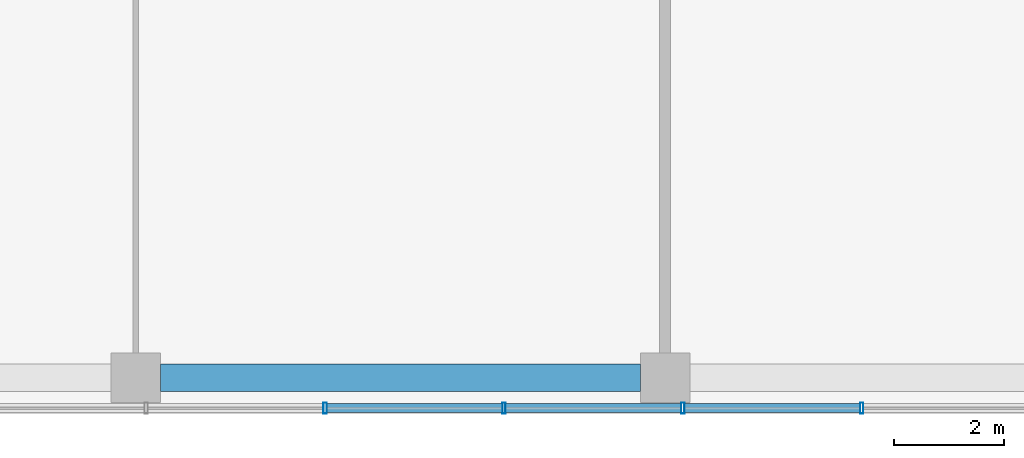
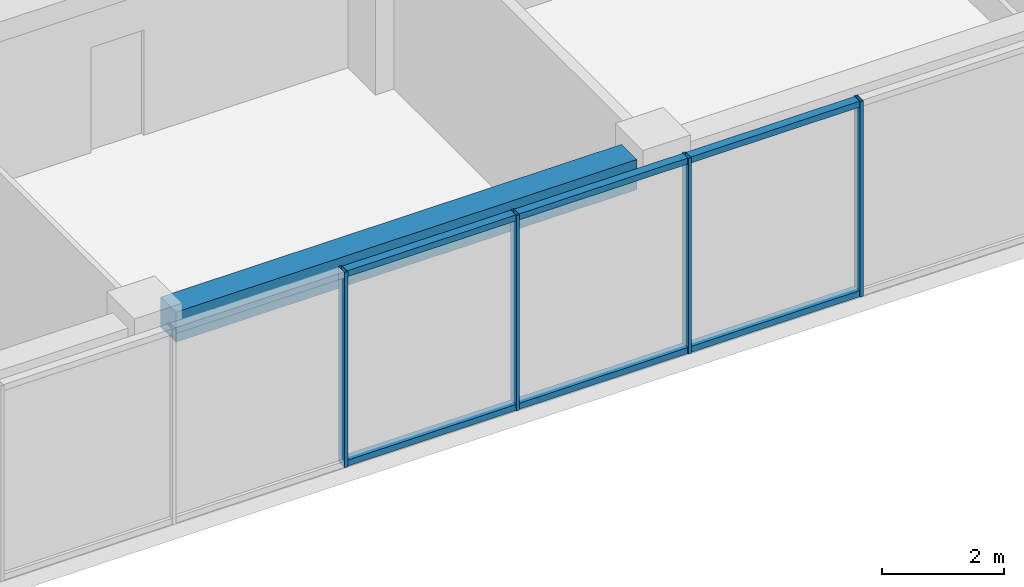
# One storey, part 11 of 36: 10 members, 1 beam, 1 element without a shape of its own.
"""IFC4 building model written with IfcOpenShell, lengths in metres."""

from ifc_helpers import new_model, si_unit, direction, frame, origin, origin_2d, place, context, subcontext, project, spatial, rectangle, hollow_rectangle, extrude, material, layer, layer_set, material_profile, profile_set, type_object, element, aggregate, save


model = new_model("IFC4")

# Units and contexts
model_context = context("Model", 3, precision=1e-05, world=origin(), true_north=direction((0.0, 1.0)))
body_context = subcontext(model_context, "Body", "Model", "MODEL_VIEW")
ifc_project = project(units=[si_unit("LENGTHUNIT", "METRE"), si_unit("AREAUNIT", "SQUARE_METRE"), si_unit("VOLUMEUNIT", "CUBIC_METRE"), si_unit("PLANEANGLEUNIT", "RADIAN"), si_unit("MASSUNIT", "GRAM", prefix="KILO")], contexts=[model_context])

# Site, building, storey
site_placement = place(None, origin())
site = spatial("IfcSite", under=ifc_project, at=site_placement, CompositionType="ELEMENT")
building_placement = place(site_placement, origin())
building = spatial("IfcBuilding", under=site, at=building_placement, Name="Nzadi Deep Aquarium and Research Tower", CompositionType="ELEMENT")
storey_placement = place(building_placement, frame((0.0, 0.0, 44.5)))
storey = spatial("IfcBuildingStorey", under=building, at=storey_placement, Name="L08", CompositionType="ELEMENT", Elevation=44.5)

# Curtain wall, members
ifc_material_1 = material(Name="Aluminium unitised frame", Category="aluminium")
ifc_layer = layer(ifc_material_1, 0.199951171875)
ifc_layer_set = layer_set([ifc_layer], Name="Aluminium unitised frame")
curtain_wall_type = type_object("IfcCurtainWallType", Name="Curtain wall Unitised 200", PredefinedType="NOTDEFINED", material=ifc_layer_set)
curtain_wall_placement = place(storey_placement, origin())
curtain_wall = element("IfcCurtainWall", 1, at=curtain_wall_placement, inside=storey, type_object=curtain_wall_type, Name="Unitised curtain wall blade A south L08", PredefinedType="NOTDEFINED")
ifc_material_2 = material(Name="Aluminium unitised frame", Category="aluminium")
ifc_material_profile_1 = material_profile(ifc_material_2, hollow_rectangle(XDim=0.199951171875, YDim=0.06005859375, WallThickness=0.0048828125, at=origin_2d()))
ifc_profile_set_1 = profile_set([ifc_material_profile_1], Name="Aluminium unitised frame")
member_type_1 = type_object("IfcMemberType", Name="Mullion 60x200 Unitised", PredefinedType="MULLION", material=ifc_profile_set_1)
member_1_placement = place(storey_placement, frame((32.2333984375, -0.10009765625, 0.0), z_axis=(0.0, 0.0, 1.0), x_axis=(0.0, 1.0, 0.0)))
member_1 = element("IfcMember", 2, at=member_1_placement, type_object=member_type_1, Name="CW022 mullion 11", PredefinedType="MULLION", context=body_context, shape_type="SweptSolid", body=[
    extrude(hollow_rectangle(XDim=0.199951171875, YDim=0.06005859375, WallThickness=0.0048828125, at=origin_2d()), origin(), (0.0, 0.0, 1.0), 3.89990234375),
])
member_2_placement = place(storey_placement, frame((35.4765625, -0.10009765625, 0.0), z_axis=(0.0, 0.0, 1.0), x_axis=(0.0, 1.0, 0.0)))
member_2 = element("IfcMember", 3, at=member_2_placement, type_object=member_type_1, Name="CW022 mullion 12", PredefinedType="MULLION", context=body_context, shape_type="SweptSolid", body=[
    extrude(hollow_rectangle(XDim=0.199951171875, YDim=0.06005859375, WallThickness=0.0048828125, at=origin_2d()), origin(), (0.0, 0.0, 1.0), 3.89990234375),
])
member_3_placement = place(storey_placement, frame((38.719970703125, -0.10009765625, 0.0), z_axis=(0.0, 0.0, 1.0), x_axis=(0.0, 1.0, 0.0)))
member_3 = element("IfcMember", 4, at=member_3_placement, type_object=member_type_1, Name="CW022 mullion 13", PredefinedType="MULLION", context=body_context, shape_type="SweptSolid", body=[
    extrude(hollow_rectangle(XDim=0.199951171875, YDim=0.06005859375, WallThickness=0.0048828125, at=origin_2d()), origin(), (0.0, 0.0, 1.0), 3.89990234375),
])
member_4_placement = place(storey_placement, frame((41.96337890625, -0.10009765625, 0.0), z_axis=(0.0, 0.0, 1.0), x_axis=(0.0, 1.0, 0.0)))
member_4 = element("IfcMember", 5, at=member_4_placement, type_object=member_type_1, Name="CW022 mullion 14", PredefinedType="MULLION", context=body_context, shape_type="SweptSolid", body=[
    extrude(hollow_rectangle(XDim=0.199951171875, YDim=0.06005859375, WallThickness=0.0048828125, at=origin_2d()), origin(), (0.0, 0.0, 1.0), 3.89990234375),
])

# Beam
ifc_material_3 = material(Name="Concrete C35/45", Category="concrete")
ifc_material_profile_2 = material_profile(ifc_material_3, rectangle(XDim=0.5, YDim=0.60009765625, at=origin_2d()))
ifc_profile_set_2 = profile_set([ifc_material_profile_2], Name="Concrete C35/45")
beam_type = type_object("IfcBeamType", Name="RC 500x600", PredefinedType="BEAM", material=ifc_profile_set_2)
beam_placement = place(storey_placement, frame((29.25, 0.449951171875, 3.60009765625), z_axis=(1.0, 0.0, 0.0), x_axis=(0.0, 1.0, 0.0)))
element("IfcBeam", 6, at=beam_placement, inside=storey, type_object=beam_type, Name="B-Z1-L08-L1-4", PredefinedType="BEAM", context=body_context, shape_type="SweptSolid", body=[
    extrude(rectangle(XDim=0.5, YDim=0.60009765625, at=origin_2d()), origin(), (0.0, 0.0, 1.0), 8.699951171875),
])

# Member
ifc_material_4 = material(Name="Aluminium unitised frame", Category="aluminium")
ifc_material_profile_3 = material_profile(ifc_material_4, hollow_rectangle(XDim=0.159912109375, YDim=0.1201171875, WallThickness=0.0048828125, at=origin_2d()))
ifc_profile_set_3 = profile_set([ifc_material_profile_3], Name="Aluminium unitised frame")
member_type_2 = type_object("IfcMemberType", Name="Transom 120x160 Unitised", PredefinedType="MULLION", material=ifc_profile_set_3)
member_5_placement = place(storey_placement, frame((32.263427734375, -0.10009765625, 0.06005859375), z_axis=(1.0, 0.0, 0.0), x_axis=(0.0, 1.0, 0.0)))
member_5 = element("IfcMember", 7, at=member_5_placement, type_object=member_type_2, Name="CW022 transom 11.1", PredefinedType="MULLION", context=body_context, shape_type="SweptSolid", body=[
    extrude(hollow_rectangle(XDim=0.159912109375, YDim=0.1201171875, WallThickness=0.0048828125, at=origin_2d()), origin(), (0.0, 0.0, 1.0), 3.183349609375),
])

member_6_placement = place(storey_placement, frame((32.263427734375, -0.10009765625, 3.840087890625), z_axis=(1.0, 0.0, 0.0), x_axis=(0.0, 1.0, 0.0)))
member_6 = element("IfcMember", 8, at=member_6_placement, type_object=member_type_2, Name="CW022 transom 11.2", PredefinedType="MULLION", context=body_context, shape_type="SweptSolid", body=[
    extrude(hollow_rectangle(XDim=0.159912109375, YDim=0.1201171875, WallThickness=0.0048828125, at=origin_2d()), origin(), (0.0, 0.0, 1.0), 3.183349609375),
])

member_7_placement = place(storey_placement, frame((35.506591796875, -0.10009765625, 0.06005859375), z_axis=(1.0, 0.0, 0.0), x_axis=(0.0, 1.0, 0.0)))
member_7 = element("IfcMember", 9, at=member_7_placement, type_object=member_type_2, Name="CW022 transom 12.1", PredefinedType="MULLION", context=body_context, shape_type="SweptSolid", body=[
    extrude(hollow_rectangle(XDim=0.159912109375, YDim=0.1201171875, WallThickness=0.0048828125, at=origin_2d()), origin(), (0.0, 0.0, 1.0), 3.183349609375),
])

member_8_placement = place(storey_placement, frame((35.506591796875, -0.10009765625, 3.840087890625), z_axis=(1.0, 0.0, 0.0), x_axis=(0.0, 1.0, 0.0)))
member_8 = element("IfcMember", 10, at=member_8_placement, type_object=member_type_2, Name="CW022 transom 12.2", PredefinedType="MULLION", context=body_context, shape_type="SweptSolid", body=[
    extrude(hollow_rectangle(XDim=0.159912109375, YDim=0.1201171875, WallThickness=0.0048828125, at=origin_2d()), origin(), (0.0, 0.0, 1.0), 3.183349609375),
])

member_9_placement = place(storey_placement, frame((38.75, -0.10009765625, 0.06005859375), z_axis=(1.0, 0.0, 0.0), x_axis=(0.0, 1.0, 0.0)))
member_9 = element("IfcMember", 11, at=member_9_placement, type_object=member_type_2, Name="CW022 transom 13.1", PredefinedType="MULLION", context=body_context, shape_type="SweptSolid", body=[
    extrude(hollow_rectangle(XDim=0.159912109375, YDim=0.1201171875, WallThickness=0.0048828125, at=origin_2d()), origin(), (0.0, 0.0, 1.0), 3.183349609375),
])

member_10_placement = place(storey_placement, frame((38.75, -0.10009765625, 3.840087890625), z_axis=(1.0, 0.0, 0.0), x_axis=(0.0, 1.0, 0.0)))
member_10 = element("IfcMember", 12, at=member_10_placement, type_object=member_type_2, Name="CW022 transom 13.2", PredefinedType="MULLION", context=body_context, shape_type="SweptSolid", body=[
    extrude(hollow_rectangle(XDim=0.159912109375, YDim=0.1201171875, WallThickness=0.0048828125, at=origin_2d()), origin(), (0.0, 0.0, 1.0), 3.183349609375),
])

aggregate(curtain_wall, [member_1, member_2, member_3, member_4, member_5, member_6, member_7, member_8, member_9, member_10])

save(model, "model.ifc")
